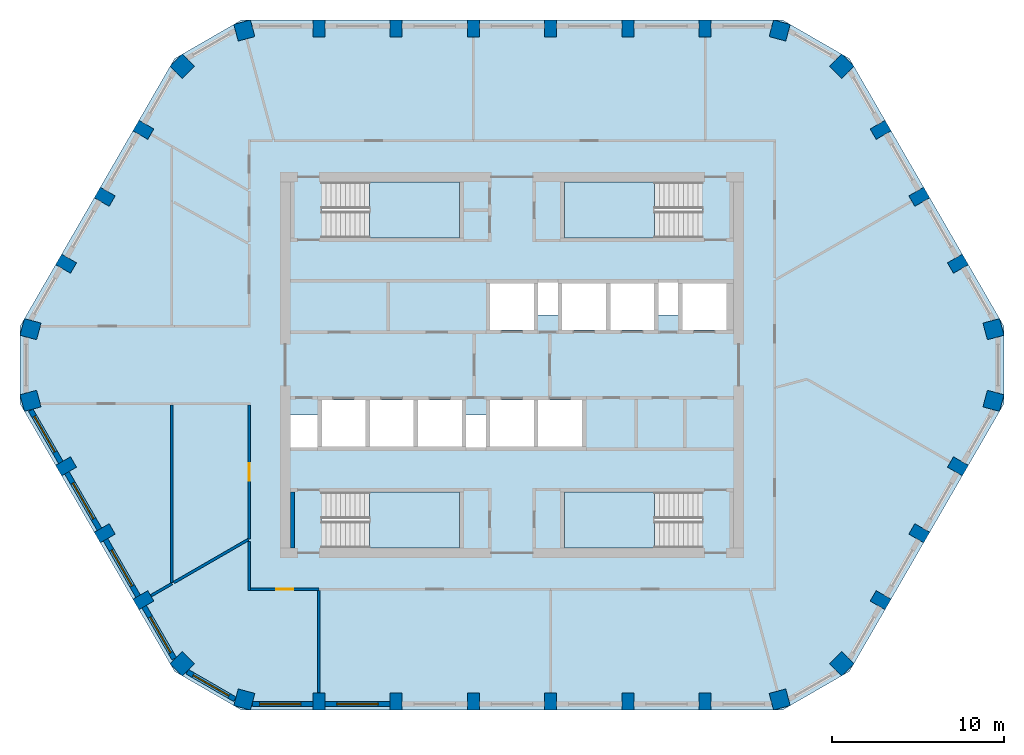
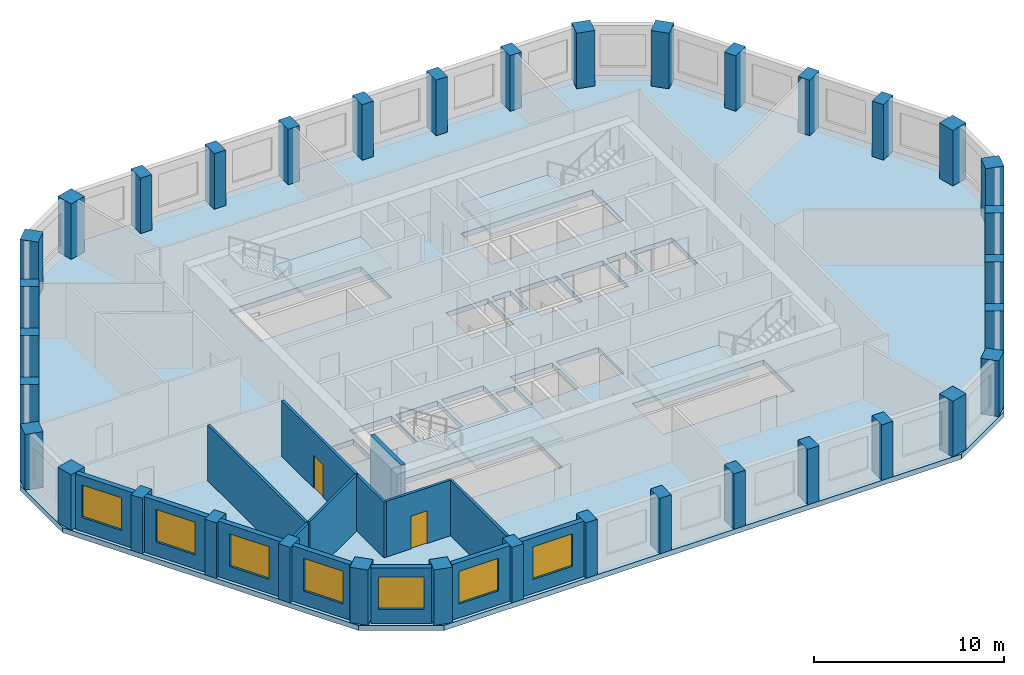
# One storey, part 1 of 7: 36 columns, 15 walls, 7 windows, 5 slabs, 2 doors, 9 openings, 4 elements without a shape of their own.
"""IFC4 building model written with IfcOpenShell, lengths in metres."""

from ifc_helpers import new_model, si_unit, direction, frame, frame_2d, origin, origin_2d, place, context, subcontext, project, spatial, polyline, rectangle, outline, extrude, material, layer, layer_set, material_profile, profile_set, type_object, element, fill, aggregate, save


model = new_model("IFC4")

# Units and contexts
model_context = context("Model", 3, precision=1e-05, world=origin(), true_north=direction((0.0, 1.0)))
body_context = subcontext(model_context, "Body", "Model", "MODEL_VIEW")
ifc_project = project(units=[si_unit("LENGTHUNIT", "METRE"), si_unit("AREAUNIT", "SQUARE_METRE"), si_unit("VOLUMEUNIT", "CUBIC_METRE"), si_unit("PLANEANGLEUNIT", "RADIAN"), si_unit("MASSUNIT", "GRAM", prefix="KILO")], contexts=[model_context])

# Site, building, storey
site_placement = place(None, origin())
site = spatial("IfcSite", under=ifc_project, at=site_placement, CompositionType="ELEMENT")
building_placement = place(site_placement, origin())
building = spatial("IfcBuilding", under=site, at=building_placement, Name="Dhurran Vertical Campus", CompositionType="ELEMENT")
storey_placement = place(building_placement, frame((0.0, 0.0, 262.5)))
storey = spatial("IfcBuildingStorey", under=building, at=storey_placement, Name="L65", CompositionType="ELEMENT", Elevation=262.5)

# Columns
ifc_material_1 = material(Name="Concrete C50/60", Category="concrete")
ifc_material_profile_1 = material_profile(ifc_material_1, rectangle(XDim=1.0, YDim=1.0, at=origin_2d()), Name="RC 1000x1000")
ifc_profile_set_1 = profile_set([ifc_material_profile_1], Name="Concrete C50/60")
column_type_1 = type_object("IfcColumnType", Name="FR COL RC 1000x1000 C50/60", PredefinedType="COLUMN", material=ifc_profile_set_1)
for number, where, z_axis, x_axis, name in (
    (1, (-15.5859375, -19.47607421875, 0.0), (0.0, 0.0, 1.0), (0.965925826289, -0.258819045103, 0.0), "Perimeter pier PP5.00"),
    (2, (15.5859375, -19.47607421875, 0.0), (0.0, 0.0, 1.0), (0.965925826289, 0.258819045103, 0.0), "Perimeter pier PP5.07"),
    (3, (19.19873046875, -17.39013671875, 0.0), (0.0, 0.0, 1.0), (0.707106781187, 0.707106781187, 0.0), "Perimeter pier PP5.08"),
    (4, (28.03466796875, -2.0859375, 0.0), (0.0, 0.0, 1.0), (0.258819045103, 0.965925826289, 0.0), "Perimeter pier PP5.12"),
    (5, (28.03466796875, 2.0859375, 0.0), (0.0, 0.0, 1.0), (-0.258819045103, 0.965925826289, 0.0), "Perimeter pier PP5.13"),
    (6, (19.19873046875, 17.39013671875, 0.0), (0.0, 0.0, 1.0), (-0.707106781187, 0.707106781187, 0.0), "Perimeter pier PP5.17"),
    (7, (15.5859375, 19.47607421875, 0.0), (0.0, 0.0, 1.0), (-0.965925826289, 0.258819045103, 0.0), "Perimeter pier PP5.18"),
    (8, (-15.5859375, 19.47607421875, 0.0), (0.0, 0.0, 1.0), (-0.965925826289, -0.258819045103, 0.0), "Perimeter pier PP5.25"),
    (9, (-19.19873046875, 17.39013671875, 0.0), (0.0, 0.0, 1.0), (-0.707106781187, -0.707106781187, 0.0), "Perimeter pier PP5.26"),
    (10, (-28.03466796875, 2.0859375, 0.0), (0.0, 0.0, 1.0), (-0.258819045103, -0.965925826289, 0.0), "Perimeter pier PP5.30"),
    (11, (-28.03466796875, -2.0859375, 0.0), (0.0, 0.0, 1.0), (0.258819045103, -0.965925826289, 0.0), "Perimeter pier PP5.31"),
    (12, (-19.19873046875, -17.39013671875, 0.0), (0.0, 0.0, 1.0), (0.707106781187, -0.707106781187, 0.0), "Perimeter pier PP5.35"),
):
    element("IfcColumn", number, at=place(storey_placement, frame(where, z_axis=z_axis, x_axis=x_axis)), inside=storey, type_object=column_type_1, Name=name, PredefinedType="COLUMN", context=body_context, shape_type="SweptSolid", body=[
        extrude(rectangle(XDim=1.0, YDim=1.0, at=origin_2d()), origin(), (0.0, 0.0, 1.0), 3.574951171875),
    ])
ifc_material_2 = material(Name="Concrete C50/60", Category="concrete")
ifc_material_profile_2 = material_profile(ifc_material_2, rectangle(XDim=0.699951171875, YDim=1.0, at=origin_2d()), Name="RC 700x1000")
ifc_profile_set_2 = profile_set([ifc_material_profile_2], Name="Concrete C50/60")
column_type_2 = type_object("IfcColumnType", Name="FR COL RC 700x1000 C50/60", PredefinedType="COLUMN", material=ifc_profile_set_2)
for number, where, z_axis, x_axis, name in (
    (13, (-11.25, -19.58837890625, 0.0), (0.0, 0.0, 1.0), (1.0, 0.0, 0.0), "Perimeter pier PP5.01"),
    (14, (-6.75, -19.58837890625, 0.0), (0.0, 0.0, 1.0), (1.0, 0.0, 0.0), "Perimeter pier PP5.02"),
    (15, (-2.25, -19.58837890625, 0.0), (0.0, 0.0, 1.0), (1.0, 0.0, 0.0), "Perimeter pier PP5.03"),
    (16, (2.25, -19.58837890625, 0.0), (0.0, 0.0, 1.0), (1.0, 0.0, 0.0), "Perimeter pier PP5.04"),
    (17, (6.75, -19.58837890625, 0.0), (0.0, 0.0, 1.0), (1.0, 0.0, 0.0), "Perimeter pier PP5.05"),
    (18, (11.25, -19.58837890625, 0.0), (0.0, 0.0, 1.0), (1.0, 0.0, 0.0), "Perimeter pier PP5.06"),
    (19, (21.464111328125, -13.69140625, 0.0), (0.0, 0.0, 1.0), (0.5, 0.866025403784, 0.0), "Perimeter pier PP5.09"),
    (20, (23.714111328125, -9.794189453125, 0.0), (0.0, 0.0, 1.0), (0.5, 0.866025403784, 0.0), "Perimeter pier PP5.10"),
    (21, (25.964111328125, -5.897216796875, 0.0), (0.0, 0.0, 1.0), (0.5, 0.866025403784, 0.0), "Perimeter pier PP5.11"),
    (22, (25.964111328125, 5.897216796875, 0.0), (0.0, 0.0, 1.0), (-0.5, 0.866025403784, 0.0), "Perimeter pier PP5.14"),
    (23, (23.714111328125, 9.794189453125, 0.0), (0.0, 0.0, 1.0), (-0.5, 0.866025403784, 0.0), "Perimeter pier PP5.15"),
    (24, (21.464111328125, 13.69140625, 0.0), (0.0, 0.0, 1.0), (-0.5, 0.866025403784, 0.0), "Perimeter pier PP5.16"),
    (25, (11.25, 19.58837890625, 0.0), (0.0, 0.0, 1.0), (-1.0, 0.0, 0.0), "Perimeter pier PP5.19"),
    (26, (6.75, 19.58837890625, 0.0), (0.0, 0.0, 1.0), (-1.0, 0.0, 0.0), "Perimeter pier PP5.20"),
    (27, (2.25, 19.58837890625, 0.0), (0.0, 0.0, 1.0), (-1.0, 0.0, 0.0), "Perimeter pier PP5.21"),
    (28, (-2.25, 19.58837890625, 0.0), (0.0, 0.0, 1.0), (-1.0, 0.0, 0.0), "Perimeter pier PP5.22"),
    (29, (-6.75, 19.58837890625, 0.0), (0.0, 0.0, 1.0), (-1.0, 0.0, 0.0), "Perimeter pier PP5.23"),
    (30, (-11.25, 19.58837890625, 0.0), (0.0, 0.0, 1.0), (-1.0, 0.0, 0.0), "Perimeter pier PP5.24"),
    (31, (-21.464111328125, 13.69140625, 0.0), (0.0, 0.0, 1.0), (-0.5, -0.866025403784, 0.0), "Perimeter pier PP5.27"),
    (32, (-23.714111328125, 9.794189453125, 0.0), (0.0, 0.0, 1.0), (-0.5, -0.866025403784, 0.0), "Perimeter pier PP5.28"),
    (33, (-25.964111328125, 5.897216796875, 0.0), (0.0, 0.0, 1.0), (-0.5, -0.866025403784, 0.0), "Perimeter pier PP5.29"),
    (34, (-25.964111328125, -5.897216796875, 0.0), (0.0, 0.0, 1.0), (0.5, -0.866025403784, 0.0), "Perimeter pier PP5.32"),
    (35, (-23.714111328125, -9.794189453125, 0.0), (0.0, 0.0, 1.0), (0.5, -0.866025403784, 0.0), "Perimeter pier PP5.33"),
    (36, (-21.464111328125, -13.69140625, 0.0), (0.0, 0.0, 1.0), (0.5, -0.866025403784, 0.0), "Perimeter pier PP5.34"),
):
    element("IfcColumn", number, at=place(storey_placement, frame(where, z_axis=z_axis, x_axis=x_axis)), inside=storey, type_object=column_type_2, Name=name, PredefinedType="COLUMN", context=body_context, shape_type="SweptSolid", body=[
        extrude(rectangle(XDim=0.699951171875, YDim=1.0, at=origin_2d()), origin(), (0.0, 0.0, 1.0), 3.574951171875),
    ])

# Slab
ifc_material_3 = material(Name="Concrete C40/50", Category="concrete")
ifc_layer_1 = layer(ifc_material_3, 0.324951171875)
ifc_layer_set_1 = layer_set([ifc_layer_1], Name="Concrete C40/50")
slab_type_1 = type_object("IfcSlabType", Name="FR POST-TENSIONED FLAT SLAB 325", PredefinedType="FLOOR", material=ifc_layer_set_1)
slab_1_placement = place(storey_placement, frame((0.0, 0.0, -0.324951171875)))
element("IfcSlab", 37, at=slab_1_placement, inside=storey, type_object=slab_type_1, Name="Floor slab L65", PredefinedType="FLOOR", context=body_context, shape_type="SweptSolid", body=[
    extrude(outline(polyline([(-15.75, -20.08837890625), (15.75, -20.08837890625), (19.647216796875, -17.83837890625), (28.647216796875, -2.25), (28.647216796875, 2.25), (19.647216796875, 17.83837890625), (15.75, 20.08837890625), (-15.75, 20.08837890625), (-19.647216796875, 17.83837890625), (-28.647216796875, 2.25), (-28.647216796875, -2.25), (-19.647216796875, -17.83837890625), (-15.75, -20.08837890625)]), holes=[polyline([(-1.27490234375, 2.050048828125), (1.27490234375, 2.050048828125), (1.27490234375, 4.75), (-1.27490234375, 4.75), (-1.27490234375, 2.050048828125)]), polyline([(9.925048828125, 2.050048828125), (12.47509765625, 2.050048828125), (12.47509765625, 4.75), (9.925048828125, 4.75), (9.925048828125, 2.050048828125)]), polyline([(-1.27490234375, -4.75), (1.27490234375, -4.75), (1.27490234375, -2.050048828125), (-1.27490234375, -2.050048828125), (-1.27490234375, -4.75)]), polyline([(1.52490234375, -4.75), (4.074951171875, -4.75), (4.074951171875, -2.050048828125), (1.52490234375, -2.050048828125), (1.52490234375, -4.75)]), polyline([(2.925048828125, 2.050048828125), (5.47509765625, 2.050048828125), (5.47509765625, 4.75), (2.925048828125, 4.75), (2.925048828125, 2.050048828125)]), polyline([(5.72509765625, 2.050048828125), (8.27490234375, 2.050048828125), (8.27490234375, 4.75), (5.72509765625, 4.75), (5.72509765625, 2.050048828125)]), polyline([(-11.074951171875, -4.75), (-8.52490234375, -4.75), (-8.52490234375, -2.050048828125), (-11.074951171875, -2.050048828125), (-11.074951171875, -4.75)]), polyline([(-8.27490234375, -4.75), (-5.72509765625, -4.75), (-5.72509765625, -2.050048828125), (-8.27490234375, -2.050048828125), (-8.27490234375, -4.75)]), polyline([(-5.47509765625, -4.75), (-2.925048828125, -4.75), (-2.925048828125, -2.050048828125), (-5.47509765625, -2.050048828125), (-5.47509765625, -4.75)]), polyline([(-11.050048828125, 7.39990234375), (-3.050048828125, 7.39990234375), (-3.050048828125, 10.64990234375), (-11.050048828125, 10.64990234375), (-11.050048828125, 7.39990234375)]), polyline([(3.050048828125, 7.39990234375), (11.050048828125, 7.39990234375), (11.050048828125, 10.64990234375), (3.050048828125, 10.64990234375), (3.050048828125, 7.39990234375)]), polyline([(-11.050048828125, -10.64990234375), (-3.050048828125, -10.64990234375), (-3.050048828125, -7.39990234375), (-11.050048828125, -7.39990234375), (-11.050048828125, -10.64990234375)]), polyline([(3.050048828125, -10.64990234375), (11.050048828125, -10.64990234375), (11.050048828125, -7.39990234375), (3.050048828125, -7.39990234375), (3.050048828125, -10.64990234375)]), polyline([(2.675048828125, 2.89990234375), (1.52490234375, 2.89990234375), (1.52490234375, 4.800048828125), (2.675048828125, 4.800048828125), (2.675048828125, 2.89990234375)]), polyline([(-12.89990234375, -2.89990234375), (-11.324951171875, -2.89990234375), (-11.324951171875, -4.800048828125), (-12.89990234375, -4.800048828125), (-12.89990234375, -2.89990234375)]), polyline([(-2.675048828125, -2.89990234375), (-1.52490234375, -2.89990234375), (-1.52490234375, -4.800048828125), (-2.675048828125, -4.800048828125), (-2.675048828125, -2.89990234375)]), polyline([(9.675048828125, 2.89990234375), (8.52490234375, 2.89990234375), (8.52490234375, 4.800048828125), (9.675048828125, 4.800048828125), (9.675048828125, 2.89990234375)])]), origin(), (0.0, 0.0, 1.0), 0.324951171875),
])

# Stair, slab
ifc_material_4 = material(Name="Concrete C40/50", Category="concrete")
stair_type = type_object("IfcStairType", Name="co-ST-CORE", PredefinedType="HALF_TURN_STAIR", material=ifc_material_4)
stair_1_placement = place(storey_placement, origin())
stair_1 = element("IfcStair", 38, at=stair_1_placement, inside=storey, type_object=stair_type, Name="L65 Protected exit stair ST1", PredefinedType="HALF_TURN_STAIR")
ifc_material_5 = material(Name="Concrete C40/50", Category="concrete")
ifc_layer_2 = layer(ifc_material_5, 0.199951171875)
ifc_layer_set_2 = layer_set([ifc_layer_2], Name="Concrete C40/50")
slab_type_2 = type_object("IfcSlabType", Name="co-SL-LANDING", PredefinedType="LANDING", material=ifc_layer_set_2)
slab_2_placement = place(storey_placement, frame((0.0, 0.0, 1.75)))
slab_2 = element("IfcSlab", 39, at=slab_2_placement, type_object=slab_type_2, Name="ST1 landing 1", PredefinedType="LANDING", context=body_context, shape_type="SweptSolid", body=[
    extrude(outline(polyline([(-8.300048828125, 7.39990234375), (-3.050048828125, 7.39990234375), (-3.050048828125, 10.64990234375), (-8.300048828125, 10.64990234375), (-8.300048828125, 7.39990234375)])), origin(), (0.0, 0.0, 1.0), 0.199951171875),
])
aggregate(stair_1, [slab_2])

stair_2_placement = place(storey_placement, origin())
stair_2 = element("IfcStair", 40, at=stair_2_placement, inside=storey, type_object=stair_type, Name="L65 Protected exit stair ST2", PredefinedType="HALF_TURN_STAIR")
slab_3_placement = place(storey_placement, frame((0.0, 0.0, 1.75)))
slab_3 = element("IfcSlab", 41, at=slab_3_placement, type_object=slab_type_2, Name="ST2 landing 1", PredefinedType="LANDING", context=body_context, shape_type="SweptSolid", body=[
    extrude(outline(polyline([(8.300048828125, 10.64990234375), (3.050048828125, 10.64990234375), (3.050048828125, 7.39990234375), (8.300048828125, 7.39990234375), (8.300048828125, 10.64990234375)])), origin(), (0.0, 0.0, 1.0), 0.199951171875),
])
aggregate(stair_2, [slab_3])

stair_3_placement = place(storey_placement, origin())
stair_3 = element("IfcStair", 42, at=stair_3_placement, inside=storey, type_object=stair_type, Name="L65 Protected exit stair ST3", PredefinedType="HALF_TURN_STAIR")
slab_4_placement = place(storey_placement, frame((0.0, 0.0, 1.75)))
slab_4 = element("IfcSlab", 43, at=slab_4_placement, type_object=slab_type_2, Name="ST3 landing 1", PredefinedType="LANDING", context=body_context, shape_type="SweptSolid", body=[
    extrude(outline(polyline([(-8.300048828125, -10.64990234375), (-3.050048828125, -10.64990234375), (-3.050048828125, -7.39990234375), (-8.300048828125, -7.39990234375), (-8.300048828125, -10.64990234375)])), origin(), (0.0, 0.0, 1.0), 0.199951171875),
])
aggregate(stair_3, [slab_4])

stair_4_placement = place(storey_placement, origin())
stair_4 = element("IfcStair", 44, at=stair_4_placement, inside=storey, type_object=stair_type, Name="L65 Protected exit stair ST4", PredefinedType="HALF_TURN_STAIR")
slab_5_placement = place(storey_placement, frame((0.0, 0.0, 1.75)))
slab_5 = element("IfcSlab", 45, at=slab_5_placement, type_object=slab_type_2, Name="ST4 landing 1", PredefinedType="LANDING", context=body_context, shape_type="SweptSolid", body=[
    extrude(outline(polyline([(8.300048828125, -7.39990234375), (3.050048828125, -7.39990234375), (3.050048828125, -10.64990234375), (8.300048828125, -10.64990234375), (8.300048828125, -7.39990234375)])), origin(), (0.0, 0.0, 1.0), 0.199951171875),
])
aggregate(stair_4, [slab_5])

# Wall, opening, window
ifc_material_6 = material(Name="Precast concrete C50/60", Category="concrete")
ifc_layer_3 = layer(ifc_material_6, 0.300048828125)
ifc_layer_set_3 = layer_set([ifc_layer_3], Name="Precast concrete C50/60")
wall_type_1 = type_object("IfcWallType", Name="Precast spandrel wall 300", PredefinedType="SOLIDWALL", material=ifc_layer_set_3)
wall_1_placement = place(storey_placement, frame((-15.09814453125, -19.738525390625, 0.0), z_axis=(0.0, 0.0, 1.0), x_axis=(1.0, 0.0, 0.0)))
wall_1 = element("IfcWall", 46, at=wall_1_placement, inside=storey, type_object=wall_type_1, Name="EW1 L65.00", PredefinedType="SOLIDWALL", context=body_context, shape_type="SweptSolid", body=[
    extrude(rectangle(XDim=3.49755859375, YDim=0.300048828125, at=frame_2d((1.748779296875, 0.0))), origin(), (0.0, 0.0, 1.0), 3.574951171875),
])
opening_1_placement = place(wall_1_placement, frame((0.398193359375, 0.0, 0.89990234375)))
opening_1 = element("IfcOpeningElement", 47, at=opening_1_placement, cuts=wall_1, Name="Opening WT1", PredefinedType="OPENING", context=body_context, shape_type="SweptSolid", body=[
    extrude(rectangle(XDim=2.39990234375, YDim=2.10009765625, at=frame_2d((1.199951171875, 1.050048828125))), frame((0.0, 0.159912109375, 0.0), z_axis=(0.0, -1.0, 0.0), x_axis=(1.0, 0.0, 0.0)), (0.0, 0.0, 1.0), 0.320068359375),
])
ifc_material_7 = material(Name="Aluminium frame with solar-control glass", Category="aluminium")
window_type = type_object("IfcWindowType", Name="Punched window 2400 x 2100", PartitioningType="SINGLE_PANEL", PredefinedType="WINDOW", material=ifc_material_7)
window_1_placement = place(opening_1_placement, origin())
window_1 = element("IfcWindow", 48, at=window_1_placement, inside=storey, type_object=window_type, Name="WT1 L65.00", OverallHeight=2.10009765625, OverallWidth=2.39990234375, PartitioningType="SINGLE_PANEL", PredefinedType="WINDOW", context=body_context, shape_type="SweptSolid", body=[
    extrude(rectangle(XDim=2.39990234375, YDim=2.10009765625, at=frame_2d((1.199951171875, 1.050048828125))), frame((0.0, 0.030029296875, 0.0), z_axis=(0.0, -1.0, 0.0), x_axis=(1.0, 0.0, 0.0)), (0.0, 0.0, 1.0), 0.06005859375),
])
fill(opening_1, window_1)

wall_2_placement = place(storey_placement, frame((-10.8994140625, -19.738525390625, 0.0), z_axis=(0.0, 0.0, 1.0), x_axis=(1.0, 0.0, 0.0)))
wall_2 = element("IfcWall", 49, at=wall_2_placement, inside=storey, type_object=wall_type_1, Name="EW1 L65.01", PredefinedType="SOLIDWALL", context=body_context, shape_type="SweptSolid", body=[
    extrude(rectangle(XDim=3.798828125, YDim=0.300048828125, at=frame_2d((1.8994140625, 0.0))), origin(), (0.0, 0.0, 1.0), 3.574951171875),
])
opening_2_placement = place(wall_2_placement, frame((0.699462890625, 0.0, 0.89990234375)))
opening_2 = element("IfcOpeningElement", 50, at=opening_2_placement, cuts=wall_2, Name="Opening WT1", PredefinedType="OPENING", context=body_context, shape_type="SweptSolid", body=[
    extrude(rectangle(XDim=2.39990234375, YDim=2.10009765625, at=frame_2d((1.199951171875, 1.050048828125))), frame((0.0, 0.159912109375, 0.0), z_axis=(0.0, -1.0, 0.0), x_axis=(1.0, 0.0, 0.0)), (0.0, 0.0, 1.0), 0.320068359375),
])
window_2_placement = place(opening_2_placement, origin())
window_2 = element("IfcWindow", 51, at=window_2_placement, inside=storey, type_object=window_type, Name="WT1 L65.01", OverallHeight=2.10009765625, OverallWidth=2.39990234375, PartitioningType="SINGLE_PANEL", PredefinedType="WINDOW", context=body_context, shape_type="SweptSolid", body=[
    extrude(rectangle(XDim=2.39990234375, YDim=2.10009765625, at=frame_2d((1.199951171875, 1.050048828125))), frame((0.0, 0.030029296875, 0.0), z_axis=(0.0, -1.0, 0.0), x_axis=(1.0, 0.0, 0.0)), (0.0, 0.0, 1.0), 0.06005859375),
])
fill(opening_2, window_2)

wall_3_placement = place(storey_placement, frame((-28.01806640625, -2.6396484375, 0.0), z_axis=(0.0, 0.0, 1.0), x_axis=(0.499990325971, -0.866030989016, 0.0)))
wall_3 = element("IfcWall", 52, at=wall_3_placement, inside=storey, type_object=wall_type_1, Name="EW1 L65.31", PredefinedType="SOLIDWALL", context=body_context, shape_type="SweptSolid", body=[
    extrude(rectangle(XDim=3.49755859375, YDim=0.300048828125, at=frame_2d((1.748779296875, 0.0))), origin(), (0.0, 0.0, 1.0), 3.574951171875),
])
opening_3_placement = place(wall_3_placement, frame((0.398193359375, 0.0, 0.89990234375)))
opening_3 = element("IfcOpeningElement", 53, at=opening_3_placement, cuts=wall_3, Name="Opening WT1", PredefinedType="OPENING", context=body_context, shape_type="SweptSolid", body=[
    extrude(rectangle(XDim=2.39990234375, YDim=2.10009765625, at=frame_2d((1.199951171875, 1.050048828125))), frame((0.0, 0.159912109375, 0.0), z_axis=(0.0, -1.0, 0.0), x_axis=(1.0, 0.0, 0.0)), (0.0, 0.0, 1.0), 0.320068359375),
])
window_3_placement = place(opening_3_placement, origin())
window_3 = element("IfcWindow", 54, at=window_3_placement, inside=storey, type_object=window_type, Name="WT1 L65.31", OverallHeight=2.10009765625, OverallWidth=2.39990234375, PartitioningType="SINGLE_PANEL", PredefinedType="WINDOW", context=body_context, shape_type="SweptSolid", body=[
    extrude(rectangle(XDim=2.39990234375, YDim=2.10009765625, at=frame_2d((1.199951171875, 1.050048828125))), frame((0.0, 0.030029296875, 0.0), z_axis=(0.0, -1.0, 0.0), x_axis=(1.0, 0.0, 0.0)), (0.0, 0.0, 1.0), 0.06005859375),
])
fill(opening_3, window_3)

wall_4_placement = place(storey_placement, frame((-25.918701171875, -6.275634765625, 0.0), z_axis=(0.0, 0.0, 1.0), x_axis=(0.499982058975, -0.866035761792, 0.0)))
wall_4 = element("IfcWall", 55, at=wall_4_placement, inside=storey, type_object=wall_type_1, Name="EW1 L65.32", PredefinedType="SOLIDWALL", context=body_context, shape_type="SweptSolid", body=[
    extrude(rectangle(XDim=3.799072265625, YDim=0.300048828125, at=frame_2d((1.8994140625, 0.0))), origin(), (0.0, 0.0, 1.0), 3.574951171875),
])
opening_4_placement = place(wall_4_placement, frame((0.699462890625, 0.0, 0.89990234375)))
opening_4 = element("IfcOpeningElement", 56, at=opening_4_placement, cuts=wall_4, Name="Opening WT1", PredefinedType="OPENING", context=body_context, shape_type="SweptSolid", body=[
    extrude(rectangle(XDim=2.39990234375, YDim=2.10009765625, at=frame_2d((1.199951171875, 1.050048828125))), frame((0.0, 0.159912109375, 0.0), z_axis=(0.0, -1.0, 0.0), x_axis=(1.0, 0.0, 0.0)), (0.0, 0.0, 1.0), 0.320068359375),
])
window_4_placement = place(opening_4_placement, origin())
window_4 = element("IfcWindow", 57, at=window_4_placement, inside=storey, type_object=window_type, Name="WT1 L65.32", OverallHeight=2.10009765625, OverallWidth=2.39990234375, PartitioningType="SINGLE_PANEL", PredefinedType="WINDOW", context=body_context, shape_type="SweptSolid", body=[
    extrude(rectangle(XDim=2.39990234375, YDim=2.10009765625, at=frame_2d((1.199951171875, 1.050048828125))), frame((0.0, 0.030029296875, 0.0), z_axis=(0.0, -1.0, 0.0), x_axis=(1.0, 0.0, 0.0)), (0.0, 0.0, 1.0), 0.06005859375),
])
fill(opening_4, window_4)

wall_5_placement = place(storey_placement, frame((-23.668701171875, -10.1728515625, 0.0), z_axis=(0.0, 0.0, 1.0), x_axis=(0.499982058975, -0.866035761792, 0.0)))
wall_5 = element("IfcWall", 58, at=wall_5_placement, inside=storey, type_object=wall_type_1, Name="EW1 L65.33", PredefinedType="SOLIDWALL", context=body_context, shape_type="SweptSolid", body=[
    extrude(rectangle(XDim=3.799072265625, YDim=0.300048828125, at=frame_2d((1.8994140625, 0.0))), origin(), (0.0, 0.0, 1.0), 3.574951171875),
])
opening_5_placement = place(wall_5_placement, frame((0.699462890625, 0.0, 0.89990234375)))
opening_5 = element("IfcOpeningElement", 59, at=opening_5_placement, cuts=wall_5, Name="Opening WT1", PredefinedType="OPENING", context=body_context, shape_type="SweptSolid", body=[
    extrude(rectangle(XDim=2.39990234375, YDim=2.10009765625, at=frame_2d((1.199951171875, 1.050048828125))), frame((0.0, 0.159912109375, 0.0), z_axis=(0.0, -1.0, 0.0), x_axis=(1.0, 0.0, 0.0)), (0.0, 0.0, 1.0), 0.320068359375),
])
window_5_placement = place(opening_5_placement, origin())
window_5 = element("IfcWindow", 60, at=window_5_placement, inside=storey, type_object=window_type, Name="WT1 L65.33", OverallHeight=2.10009765625, OverallWidth=2.39990234375, PartitioningType="SINGLE_PANEL", PredefinedType="WINDOW", context=body_context, shape_type="SweptSolid", body=[
    extrude(rectangle(XDim=2.39990234375, YDim=2.10009765625, at=frame_2d((1.199951171875, 1.050048828125))), frame((0.0, 0.030029296875, 0.0), z_axis=(0.0, -1.0, 0.0), x_axis=(1.0, 0.0, 0.0)), (0.0, 0.0, 1.0), 0.06005859375),
])
fill(opening_5, window_5)

wall_6_placement = place(storey_placement, frame((-21.418701171875, -14.06982421875, 0.0), z_axis=(0.0, 0.0, 1.0), x_axis=(0.499960102815, -0.866048437209, 0.0)))
wall_6 = element("IfcWall", 61, at=wall_6_placement, inside=storey, type_object=wall_type_1, Name="EW1 L65.34", PredefinedType="SOLIDWALL", context=body_context, shape_type="SweptSolid", body=[
    extrude(rectangle(XDim=3.497802734375, YDim=0.300048828125, at=frame_2d((1.7490234375, 0.0))), origin(), (0.0, 0.0, 1.0), 3.574951171875),
])
opening_6_placement = place(wall_6_placement, frame((0.699462890625, 0.0, 0.89990234375)))
opening_6 = element("IfcOpeningElement", 62, at=opening_6_placement, cuts=wall_6, Name="Opening WT1", PredefinedType="OPENING", context=body_context, shape_type="SweptSolid", body=[
    extrude(rectangle(XDim=2.39990234375, YDim=2.10009765625, at=frame_2d((1.199951171875, 1.050048828125))), frame((0.0, 0.159912109375, 0.0), z_axis=(0.0, -1.0, 0.0), x_axis=(1.0, 0.0, 0.0)), (0.0, 0.0, 1.0), 0.320068359375),
])
window_6_placement = place(opening_6_placement, origin())
window_6 = element("IfcWindow", 63, at=window_6_placement, inside=storey, type_object=window_type, Name="WT1 L65.34", OverallHeight=2.10009765625, OverallWidth=2.39990234375, PartitioningType="SINGLE_PANEL", PredefinedType="WINDOW", context=body_context, shape_type="SweptSolid", body=[
    extrude(rectangle(XDim=2.39990234375, YDim=2.10009765625, at=frame_2d((1.199951171875, 1.050048828125))), frame((0.0, 0.030029296875, 0.0), z_axis=(0.0, -1.0, 0.0), x_axis=(1.0, 0.0, 0.0)), (0.0, 0.0, 1.0), 0.06005859375),
])
fill(opening_6, window_6)

wall_7_placement = place(storey_placement, frame((-18.90771484375, -17.861328125, 0.0), z_axis=(0.0, 0.0, 1.0), x_axis=(0.866025316205, -0.500000151692, 0.0)))
wall_7 = element("IfcWall", 64, at=wall_7_placement, inside=storey, type_object=wall_type_1, Name="EW1 L65.35", PredefinedType="SOLIDWALL", context=body_context, shape_type="SweptSolid", body=[
    extrude(rectangle(XDim=3.1962890625, YDim=0.300048828125, at=frame_2d((1.59814453125, 0.0))), origin(), (0.0, 0.0, 1.0), 3.574951171875),
])
opening_7_placement = place(wall_7_placement, frame((0.398193359375, 0.0, 0.89990234375)))
opening_7 = element("IfcOpeningElement", 65, at=opening_7_placement, cuts=wall_7, Name="Opening WT1", PredefinedType="OPENING", context=body_context, shape_type="SweptSolid", body=[
    extrude(rectangle(XDim=2.39990234375, YDim=2.10009765625, at=frame_2d((1.199951171875, 1.050048828125))), frame((0.0, 0.159912109375, 0.0), z_axis=(0.0, -1.0, 0.0), x_axis=(1.0, 0.0, 0.0)), (0.0, 0.0, 1.0), 0.320068359375),
])
window_7_placement = place(opening_7_placement, origin())
window_7 = element("IfcWindow", 66, at=window_7_placement, inside=storey, type_object=window_type, Name="WT1 L65.35", OverallHeight=2.10009765625, OverallWidth=2.39990234375, PartitioningType="SINGLE_PANEL", PredefinedType="WINDOW", context=body_context, shape_type="SweptSolid", body=[
    extrude(rectangle(XDim=2.39990234375, YDim=2.10009765625, at=frame_2d((1.199951171875, 1.050048828125))), frame((0.0, 0.030029296875, 0.0), z_axis=(0.0, -1.0, 0.0), x_axis=(1.0, 0.0, 0.0)), (0.0, 0.0, 1.0), 0.06005859375),
])
fill(opening_7, window_7)

# Walls
ifc_material_8 = material(Name="Concrete C40/50", Category="concrete")
ifc_layer_4 = layer(ifc_material_8, 0.25)
ifc_layer_set_4 = layer_set([ifc_layer_4], Name="Concrete C40/50")
wall_type_2 = type_object("IfcWallType", Name="co-STAIR-WALL-250", PredefinedType="SHEAR", material=ifc_layer_set_4)
wall_8_placement = place(storey_placement, frame((-12.77490234375, -10.64990234375, 0.0), z_axis=(0.0, 0.0, 1.0), x_axis=(0.0, 1.0, 0.0)))
element("IfcWall", 67, at=wall_8_placement, inside=storey, type_object=wall_type_2, Name="Stair ST3 enclosure wall L65", PredefinedType="SHEAR", context=body_context, shape_type="SweptSolid", body=[
    extrude(rectangle(XDim=3.25, YDim=0.25, at=frame_2d((1.625, 0.0))), origin(), (0.0, 0.0, 1.0), 3.574951171875),
])
ifc_material_9 = material(Name="Gypsum board corridor wall on steel studs", Category="steel")
ifc_layer_5 = layer(ifc_material_9, 0.14990234375)
ifc_layer_set_5 = layer_set([ifc_layer_5], Name="Gypsum board corridor wall on steel studs")
wall_type_3 = type_object("IfcWallType", Name="fl-CW-150 corridor wall", PredefinedType="PARTITIONING", material=ifc_layer_set_5)
wall_9_placement = place(storey_placement, frame((-15.300048828125, -10.261962890625, 0.0), z_axis=(0.0, 0.0, 1.0), x_axis=(0.0, -1.0, 0.0)))
element("IfcWall", 68, at=wall_9_placement, inside=storey, type_object=wall_type_3, Name="Partition 65-14", PredefinedType="PARTITIONING", context=body_context, shape_type="SweptSolid", body=[
    extrude(rectangle(XDim=2.863037109375, YDim=0.14990234375, at=frame_2d((1.431640625, 0.0))), origin(), (0.0, 0.0, 1.0), 3.574951171875),
])

# Wall, opening, door
wall_10_placement = place(storey_placement, frame((-15.22509765625, -13.050048828125, 0.0), z_axis=(0.0, 0.0, 1.0), x_axis=(1.0, 0.0, 0.0)))
wall_10 = element("IfcWall", 69, at=wall_10_placement, inside=storey, type_object=wall_type_3, Name="Partition 65-15", PredefinedType="PARTITIONING", context=body_context, shape_type="SweptSolid", body=[
    extrude(rectangle(XDim=3.97509765625, YDim=0.14990234375, at=frame_2d((1.987548828125, 0.0))), origin(), (0.0, 0.0, 1.0), 3.574951171875),
])
opening_8_placement = place(wall_10_placement, frame((1.487548828125, 0.0, 0.0)))
opening_8 = element("IfcOpeningElement", 70, at=opening_8_placement, cuts=wall_10, Name="Opening T19.07", PredefinedType="OPENING", context=body_context, shape_type="SweptSolid", body=[
    extrude(rectangle(XDim=1.0, YDim=2.10009765625, at=frame_2d((0.5, 1.050048828125))), frame((0.0, 0.0849609375, 0.0), z_axis=(0.0, -1.0, 0.0), x_axis=(1.0, 0.0, 0.0)), (0.0, 0.0, 1.0), 0.169921875),
])
ifc_material_10 = material(Name="Solid-core timber door set, fire-rated", Category="wood")
door_type = type_object("IfcDoorType", Name="fl-D-1000x2100", OperationType="SINGLE_SWING_LEFT", PredefinedType="DOOR", material=ifc_material_10)
door_1_placement = place(opening_8_placement, origin())
door_1 = element("IfcDoor", 71, at=door_1_placement, inside=storey, type_object=door_type, Name="Door 65.07", OperationType="SINGLE_SWING_RIGHT", OverallHeight=2.10009765625, OverallWidth=1.0, PredefinedType="DOOR", context=body_context, shape_type="SweptSolid", body=[
    extrude(rectangle(XDim=1.0, YDim=2.10009765625, at=frame_2d((0.5, 1.050048828125))), frame((0.0, 0.02490234375, 0.0), z_axis=(0.0, -1.0, 0.0), x_axis=(1.0, 0.0, 0.0)), (0.0, 0.0, 1.0), 0.050048828125),
])
fill(opening_8, door_1)

wall_11_placement = place(storey_placement, frame((-15.300048828125, -2.324951171875, 0.0), z_axis=(0.0, 0.0, 1.0), x_axis=(0.0, -1.0, 0.0)))
wall_11 = element("IfcWall", 72, at=wall_11_placement, inside=storey, type_object=wall_type_3, Name="Partition 65-16", PredefinedType="PARTITIONING", context=body_context, shape_type="SweptSolid", body=[
    extrude(rectangle(XDim=7.80712890625, YDim=0.14990234375, at=frame_2d((3.903564453125, 0.0))), origin(), (0.0, 0.0, 1.0), 3.574951171875),
])
opening_9_placement = place(wall_11_placement, frame((3.403564453125, 0.0, 0.0)))
opening_9 = element("IfcOpeningElement", 73, at=opening_9_placement, cuts=wall_11, Name="Opening T19.04", PredefinedType="OPENING", context=body_context, shape_type="SweptSolid", body=[
    extrude(rectangle(XDim=1.0, YDim=2.10009765625, at=frame_2d((0.5, 1.050048828125))), frame((0.0, 0.0849609375, 0.0), z_axis=(0.0, -1.0, 0.0), x_axis=(1.0, 0.0, 0.0)), (0.0, 0.0, 1.0), 0.169921875),
])
door_2_placement = place(opening_9_placement, origin())
door_2 = element("IfcDoor", 74, at=door_2_placement, inside=storey, type_object=door_type, Name="Door 65.04", OperationType="SINGLE_SWING_RIGHT", OverallHeight=2.10009765625, OverallWidth=1.0, PredefinedType="DOOR", context=body_context, shape_type="SweptSolid", body=[
    extrude(rectangle(XDim=1.0, YDim=2.10009765625, at=frame_2d((0.5, 1.050048828125))), frame((0.0, 0.02490234375, 0.0), z_axis=(0.0, -1.0, 0.0), x_axis=(1.0, 0.0, 0.0)), (0.0, 0.0, 1.0), 0.050048828125),
])
fill(opening_9, door_2)

# Walls
ifc_material_11 = material(Name="Gypsum board partition on steel studs", Category="steel")
ifc_layer_6 = layer(ifc_material_11, 0.14990234375)
ifc_layer_set_6 = layer_set([ifc_layer_6], Name="Gypsum board partition on steel studs")
wall_type_4 = type_object("IfcWallType", Name="fl-PW-150 fixed partition", PredefinedType="PARTITIONING", material=ifc_layer_set_6)
wall_12_placement = place(storey_placement, frame((-19.800048828125, -12.72998046875, 0.0), z_axis=(0.0, 0.0, 1.0), x_axis=(-0.865918715181, -0.500184744569, 0.0)))
element("IfcWall", 75, at=wall_12_placement, inside=storey, type_object=wall_type_4, Name="Partition 65-03", PredefinedType="PARTITIONING", context=body_context, shape_type="SweptSolid", body=[
    extrude(rectangle(XDim=1.40185546875, YDim=0.14990234375, at=frame_2d((0.700927734375, 0.0))), origin(), (0.0, 0.0, 1.0), 3.574951171875),
])
wall_13_placement = place(storey_placement, frame((-19.800048828125, -2.324951171875, 0.0), z_axis=(0.0, 0.0, 1.0), x_axis=(0.0, -1.0, 0.0)))
element("IfcWall", 76, at=wall_13_placement, inside=storey, type_object=wall_type_4, Name="Partition 65-05", PredefinedType="PARTITIONING", context=body_context, shape_type="SweptSolid", body=[
    extrude(rectangle(XDim=10.330078125, YDim=0.14990234375, at=frame_2d((5.1650390625, 0.0))), origin(), (0.0, 0.0, 1.0), 3.574951171875),
])
wall_14_placement = place(storey_placement, frame((-15.364990234375, -10.16943359375, 0.0), z_axis=(0.0, 0.0, 1.0), x_axis=(-0.866025118187, -0.500000494669, 0.0)))
element("IfcWall", 77, at=wall_14_placement, inside=storey, type_object=wall_type_4, Name="Partition 65-06", PredefinedType="PARTITIONING", context=body_context, shape_type="SweptSolid", body=[
    extrude(rectangle(XDim=4.9912109375, YDim=0.14990234375, at=frame_2d((2.49560546875, 0.0))), origin(), (0.0, 0.0, 1.0), 3.574951171875),
])
wall_15_placement = place(storey_placement, frame((-11.25, -13.125, 0.0), z_axis=(0.0, 0.0, 1.0), x_axis=(0.0, -1.0, 0.0)))
element("IfcWall", 78, at=wall_15_placement, inside=storey, type_object=wall_type_4, Name="Partition 65-22", PredefinedType="PARTITIONING", context=body_context, shape_type="SweptSolid", body=[
    extrude(rectangle(XDim=5.943603515625, YDim=0.14990234375, at=frame_2d((2.9716796875, 0.0))), origin(), (0.0, 0.0, 1.0), 3.574951171875),
])

save(model, "model.ifc")
